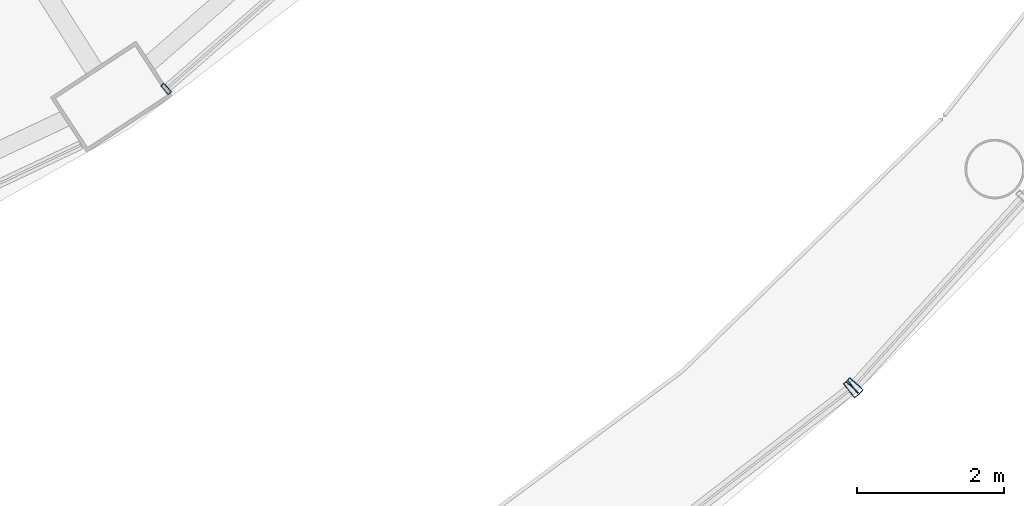
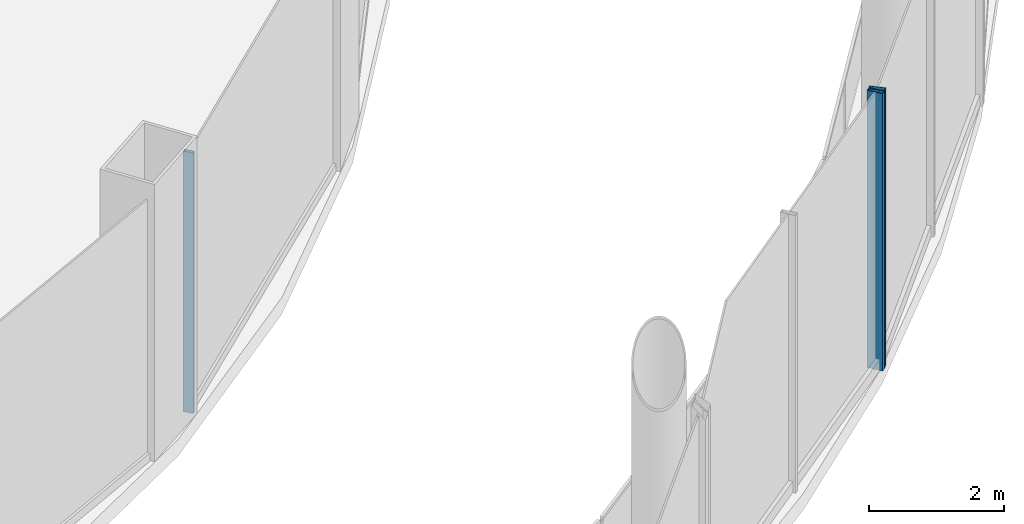
# One storey, part 11 of 47: 3 members, 3 elements without a shape of their own.
"""IFC4 building model written with IfcOpenShell, lengths in metres."""

import ifcopenshell
import ifcopenshell.guid

model = None  # the IFC model being written
_history = None  # IfcOwnerHistory: only IFC2X3 demands one
_inside = {}  # id of a spatial element -> (the spatial element, [elements in it])
_under = {}  # id of a project, library or spatial element -> (it, [spatial elements below it])
_declared = {}  # id of a project -> (the project, [libraries it declares])
_typed = {}  # id of a type object -> (the type object, [elements of that type])
_made_of = {}  # id of a material, layer set ... -> (it, [elements and type objects made of it])


def new_model(schema):
    """Start an empty IFC model of exactly this schema.

    Asked for "IFC4X3", IfcOpenShell would pick the latest addendum, in which some entities
    have other attributes; the version numbers below select the first issue.
    IFC2X3 requires an IfcOwnerHistory on every rooted entity: one is made here for all.
    """
    global model, _history
    if schema == "IFC4X3":
        model = ifcopenshell.file(schema_version=(4, 3, 0, 0))
    else:
        model = ifcopenshell.file(schema=schema)
    _inside.clear()
    _under.clear()
    _declared.clear()
    _typed.clear()
    _made_of.clear()
    _history = None
    if model.schema == "IFC2X3":
        org = make("IfcOrganization", Name="unknown")
        user = make(
            "IfcPersonAndOrganization",
            ThePerson=make("IfcPerson", FamilyName="unknown"),
            TheOrganization=org,
        )
        app = make(
            "IfcApplication",
            ApplicationDeveloper=org,
            Version="unknown",
            ApplicationFullName="unknown",
            ApplicationIdentifier="unknown",
        )
        _history = make(
            "IfcOwnerHistory",
            OwningUser=user,
            OwningApplication=app,
            ChangeAction="ADDED",
            CreationDate=0,
        )
    return model


def make(cls, **values):
    """One entity of the class cls with the attributes given. An attribute that is None is left unset."""
    return model.create_entity(
        cls, **{name: value for name, value in values.items() if value is not None}
    )


def rooted(cls, **values):
    """An entity with a GlobalId (a new one), such as an element, a storey or a relation."""
    return make(cls, GlobalId=ifcopenshell.guid.new(), OwnerHistory=_history, **values)


def si_unit(unit_type, name, prefix=None):
    """IfcSIUnit, for example si_unit("LENGTHUNIT", "METRE", prefix="MILLI")."""
    return make("IfcSIUnit", UnitType=unit_type, Prefix=prefix, Name=name)


def assignment(units):
    """IfcUnitAssignment: the units of a project."""
    return None if units is None else make("IfcUnitAssignment", Units=units)


def point(xyz):
    """IfcCartesianPoint."""
    return None if xyz is None else make("IfcCartesianPoint", Coordinates=xyz)


def direction(xyz):
    """IfcDirection."""
    return None if xyz is None else make("IfcDirection", DirectionRatios=xyz)


def frame(location, z_axis=None, x_axis=None):
    """IfcAxis2Placement3D, a coordinate frame: its origin and axes. An axis left out is left unset."""
    return make(
        "IfcAxis2Placement3D",
        Location=point(location),
        Axis=direction(z_axis),
        RefDirection=direction(x_axis),
    )


def frame_2d(location, x_axis=None):
    """IfcAxis2Placement2D, a coordinate frame in the plane: its origin and x axis."""
    return make(
        "IfcAxis2Placement2D", Location=point(location), RefDirection=direction(x_axis)
    )


def origin():
    """The frame at (0, 0, 0) with its axes left unset."""
    return frame((0.0, 0.0, 0.0))


def origin_2d():
    """The frame at (0, 0) in the plane with its x axis left unset."""
    return frame_2d((0.0, 0.0))


def place(relative_to, where):
    """IfcLocalPlacement: puts the frame where relative to a parent placement (None: the world)."""
    return make(
        "IfcLocalPlacement", PlacementRelTo=relative_to, RelativePlacement=where
    )


def context(
    kind, dimensions, precision=None, world=None, true_north=None, identifier=None
):
    """IfcGeometricRepresentationContext, for example the 3D "Model" context."""
    return make(
        "IfcGeometricRepresentationContext",
        ContextIdentifier=identifier,
        ContextType=kind,
        CoordinateSpaceDimension=dimensions,
        Precision=precision,
        WorldCoordinateSystem=world,
        TrueNorth=true_north,
    )


def subcontext(parent, identifier, kind, view, scale=None):
    """IfcGeometricRepresentationSubContext, for example "Body" below "Model"."""
    return make(
        "IfcGeometricRepresentationSubContext",
        ContextIdentifier=identifier,
        ContextType=kind,
        ParentContext=parent,
        TargetScale=scale,
        TargetView=view,
    )


def project(units=None, contexts=None):
    """IfcProject with its units and contexts."""
    return rooted(
        "IfcProject",
        Name="project",
        RepresentationContexts=contexts,
        UnitsInContext=assignment(units),
    )


def spatial(cls, under=None, at=None, **own):
    """A site, building, storey or space (cls), placed at a placement, below another one or the project."""
    s = rooted(cls, ObjectPlacement=at, **own)
    if under is not None:
        _under.setdefault(under.id(), (under, []))[1].append(s)
    return s


def profile(cls, at=None, kind="AREA", **sizes):
    """A parametric profile (cls). Its sizes go by their IFC names, for example OverallWidth=200.0."""
    return make(cls, ProfileType=kind, Position=at, **sizes)


def hollow_rectangle(**sizes):
    """IfcRectangleHollowProfileDef."""
    return profile("IfcRectangleHollowProfileDef", **sizes)


def extrude(swept, where, along, depth):
    """IfcExtrudedAreaSolid: the profile swept, set in the frame where, extruded along a direction by depth."""
    return make(
        "IfcExtrudedAreaSolid",
        SweptArea=swept,
        Position=where,
        ExtrudedDirection=direction(along),
        Depth=depth,
    )


def shape(context_of_items, identifier, shape_type, items):
    """IfcShapeRepresentation: the items that make up one representation, for example the "Body"."""
    return make(
        "IfcShapeRepresentation",
        ContextOfItems=context_of_items,
        RepresentationIdentifier=identifier,
        RepresentationType=shape_type,
        Items=items,
    )


def material(Name=None, Category=None):
    """IfcMaterial."""
    return make("IfcMaterial", Name=Name, Category=Category)


def layer(
    of_material, thickness, ventilated=None, Name=None, Category=None, Priority=None
):
    """IfcMaterialLayer: one layer of a wall or slab, of a material (None: an air gap)."""
    return make(
        "IfcMaterialLayer",
        Material=of_material,
        LayerThickness=thickness,
        IsVentilated=ventilated,
        Name=Name,
        Category=Category,
        Priority=Priority,
    )


def layer_set(layers, Name=None):
    """IfcMaterialLayerSet."""
    return make("IfcMaterialLayerSet", MaterialLayers=layers, LayerSetName=Name)


def material_profile(
    of_material, cross_section, Name=None, Category=None, Priority=None
):
    """IfcMaterialProfile: a cross section and its material."""
    return make(
        "IfcMaterialProfile",
        Name=Name,
        Material=of_material,
        Profile=cross_section,
        Priority=Priority,
        Category=Category,
    )


def profile_set(profiles, Name=None, composite=None):
    """IfcMaterialProfileSet."""
    return make(
        "IfcMaterialProfileSet",
        Name=Name,
        MaterialProfiles=profiles,
        CompositeProfile=composite,
    )


def made_of(thing, what):
    """Note that an element or type object is made of a material, layer set ...; save() writes the relation."""
    if what is not None:
        _made_of.setdefault(what.id(), (what, []))[1].append(thing)
    return thing


def type_object(cls, material=None, **own):
    """A type object (cls), such as IfcWallType, which elements share."""
    return made_of(rooted(cls, **own), material)


def element(
    cls,
    number,
    at=None,
    inside=None,
    cuts=None,
    type_object=None,
    material=None,
    context=None,
    identifier="Body",
    shape_type=None,
    held_by="IfcProductDefinitionShape",
    body=None,
    shapes=None,
    **own,
):
    """One element of the class cls, such as IfcWall. Its Tag is "e" and its number.

    at: its placement. inside: the storey or other place that contains it. cuts: it is an
    opening in that element (IfcRelVoidsElement). A single representation is given by context,
    identifier, shape_type and body (its items); several are given by shapes. held_by: the class
    of the entity that holds the representations. save() writes the other relations.
    """
    e = rooted(cls, Tag="e%d" % number, ObjectPlacement=at, **own)
    if body is not None:
        shapes = [shape(context, identifier, shape_type, body)]
    if shapes is not None:
        e.Representation = make(held_by, Representations=shapes)
    if inside is not None:
        _inside.setdefault(inside.id(), (inside, []))[1].append(e)
    if cuts is not None:
        rooted(
            "IfcRelVoidsElement", RelatingBuildingElement=cuts, RelatedOpeningElement=e
        )
    if type_object is not None:
        _typed.setdefault(type_object.id(), (type_object, []))[1].append(e)
    return made_of(e, material)


def aggregate(whole, parts):
    """IfcRelAggregates: a whole, such as a stair, and the parts it consists of."""
    return rooted("IfcRelAggregates", RelatingObject=whole, RelatedObjects=parts)


def save(model, path):
    """Write the relations noted so far, then the file.

    IfcRelAggregates (storeys below a building ...), IfcRelContainedInSpatialStructure (elements
    in a storey), IfcRelDefinesByType, IfcRelAssociatesMaterial and IfcRelDeclares: one each for
    every whole, place, type object, material and project.
    """
    for whole, parts in _under.values():
        aggregate(whole, parts)
    for where, things in _inside.values():
        rooted(
            "IfcRelContainedInSpatialStructure",
            RelatedElements=things,
            RelatingStructure=where,
        )
    for kind, things in _typed.values():
        rooted("IfcRelDefinesByType", RelatedObjects=things, RelatingType=kind)
    for what, things in _made_of.values():
        rooted("IfcRelAssociatesMaterial", RelatedObjects=things, RelatingMaterial=what)
    for by, libraries in _declared.values():
        rooted("IfcRelDeclares", RelatingContext=by, RelatedDefinitions=libraries)
    model.write(path)


model = new_model("IFC4")

# Units and contexts
model_context = context("Model", 3, precision=1e-05, world=origin(), true_north=direction((0.0, 1.0)))
body_context = subcontext(model_context, "Body", "Model", "MODEL_VIEW")
ifc_project = project(units=[si_unit("LENGTHUNIT", "METRE"), si_unit("AREAUNIT", "SQUARE_METRE"), si_unit("VOLUMEUNIT", "CUBIC_METRE"), si_unit("PLANEANGLEUNIT", "RADIAN"), si_unit("MASSUNIT", "GRAM", prefix="KILO")], contexts=[model_context])

# Site, building, storey
site_placement = place(None, origin())
site = spatial("IfcSite", under=ifc_project, at=site_placement, CompositionType="ELEMENT")
building_placement = place(site_placement, origin())
building = spatial("IfcBuilding", under=site, at=building_placement, Name="Nagisa Residences", CompositionType="ELEMENT")
storey_placement = place(building_placement, frame((0.0, 0.0, 7.0)))
storey = spatial("IfcBuildingStorey", under=building, at=storey_placement, Name="L01", CompositionType="ELEMENT", Elevation=7.0)

# Curtain wall, member
ifc_material_1 = material(Name="Stainless steel curtain wall system", Category="steel")
ifc_layer_1 = layer(ifc_material_1, 0.159912109375)
ifc_layer_set_1 = layer_set([ifc_layer_1], Name="CW3 CURTAIN WALL")
curtain_wall_type_1 = type_object("IfcCurtainWallType", Name="CW3 CURTAIN WALL", PredefinedType="NOTDEFINED", material=ifc_layer_set_1)
curtain_wall_1_placement = place(storey_placement, origin())
curtain_wall_1 = element("IfcCurtainWall", 1, at=curtain_wall_1_placement, inside=storey, type_object=curtain_wall_type_1, Name="cw:CW3:L01:30", PredefinedType="NOTDEFINED")
ifc_material_2 = material(Name="Stainless steel", Category="steel")
ifc_material_profile_1 = material_profile(ifc_material_2, hollow_rectangle(XDim=0.25, YDim=0.080078125, WallThickness=0.008056640625, at=origin_2d()), Name="CW3 MULLION 250x80")
ifc_profile_set_1 = profile_set([ifc_material_profile_1], Name="Stainless steel")
member_type_1 = type_object("IfcMemberType", Name="CW3 MULLION 250x80", PredefinedType="MULLION", material=ifc_profile_set_1)
member_1_placement = place(storey_placement, frame((27.9453125, -32.135009765625, 0.0), z_axis=(0.0, 0.0, 1.0), x_axis=(-0.612034757172, 0.790830864353, 0.0)))
member_1 = element("IfcMember", 2, at=member_1_placement, type_object=member_type_1, Name="CW3 mullion", PredefinedType="MULLION", context=body_context, shape_type="SweptSolid", body=[
    extrude(hollow_rectangle(XDim=0.25, YDim=0.080078125, WallThickness=0.008056640625, at=origin_2d()), origin(), (0.0, 0.0, 1.0), 5.0),
])
aggregate(curtain_wall_1, [member_1])

curtain_wall_2_placement = place(storey_placement, origin())
curtain_wall_2 = element("IfcCurtainWall", 3, at=curtain_wall_2_placement, inside=storey, type_object=curtain_wall_type_1, Name="cw:CW3:L01:31", PredefinedType="NOTDEFINED")
member_2_placement = place(storey_placement, frame((27.993408203125, -32.090576171875, 0.0), z_axis=(0.0, 0.0, 1.0), x_axis=(-0.741535779122, 0.670913323971, 0.0)))
member_2 = element("IfcMember", 4, at=member_2_placement, type_object=member_type_1, Name="CW3 mullion", PredefinedType="MULLION", context=body_context, shape_type="SweptSolid", body=[
    extrude(hollow_rectangle(XDim=0.25, YDim=0.080078125, WallThickness=0.008056640625, at=origin_2d()), origin(), (0.0, 0.0, 1.0), 5.0),
])
aggregate(curtain_wall_2, [member_2])

ifc_material_3 = material(Name="Stainless steel curtain wall system", Category="steel")
ifc_layer_2 = layer(ifc_material_3, 0.159912109375)
ifc_layer_set_2 = layer_set([ifc_layer_2], Name="CW6 CURTAIN WALL")
curtain_wall_type_2 = type_object("IfcCurtainWallType", Name="CW6 CURTAIN WALL", PredefinedType="NOTDEFINED", material=ifc_layer_set_2)
curtain_wall_3_placement = place(storey_placement, origin())
curtain_wall_3 = element("IfcCurtainWall", 5, at=curtain_wall_3_placement, inside=storey, type_object=curtain_wall_type_2, Name="cw:CW6:L01:40", PredefinedType="NOTDEFINED")
ifc_material_4 = material(Name="Stainless steel", Category="steel")
ifc_material_profile_2 = material_profile(ifc_material_4, hollow_rectangle(XDim=0.159912109375, YDim=0.06005859375, WallThickness=0.006103515625, at=origin_2d()), Name="CW6 MULLION 160x60")
ifc_profile_set_2 = profile_set([ifc_material_profile_2], Name="Stainless steel")
member_type_2 = type_object("IfcMemberType", Name="CW6 MULLION 160x60", PredefinedType="MULLION", material=ifc_profile_set_2)
member_3_placement = place(storey_placement, frame((18.59716796875, -28.038330078125, 0.0), z_axis=(0.0, 0.0, 1.0), x_axis=(-0.657721475708, 0.753261216572, 0.0)))
member_3 = element("IfcMember", 6, at=member_3_placement, type_object=member_type_2, Name="CW6 mullion", PredefinedType="MULLION", context=body_context, shape_type="SweptSolid", body=[
    extrude(hollow_rectangle(XDim=0.159912109375, YDim=0.06005859375, WallThickness=0.006103515625, at=origin_2d()), origin(), (0.0, 0.0, 1.0), 4.699951171875),
])
aggregate(curtain_wall_3, [member_3])

save(model, "model.ifc")
